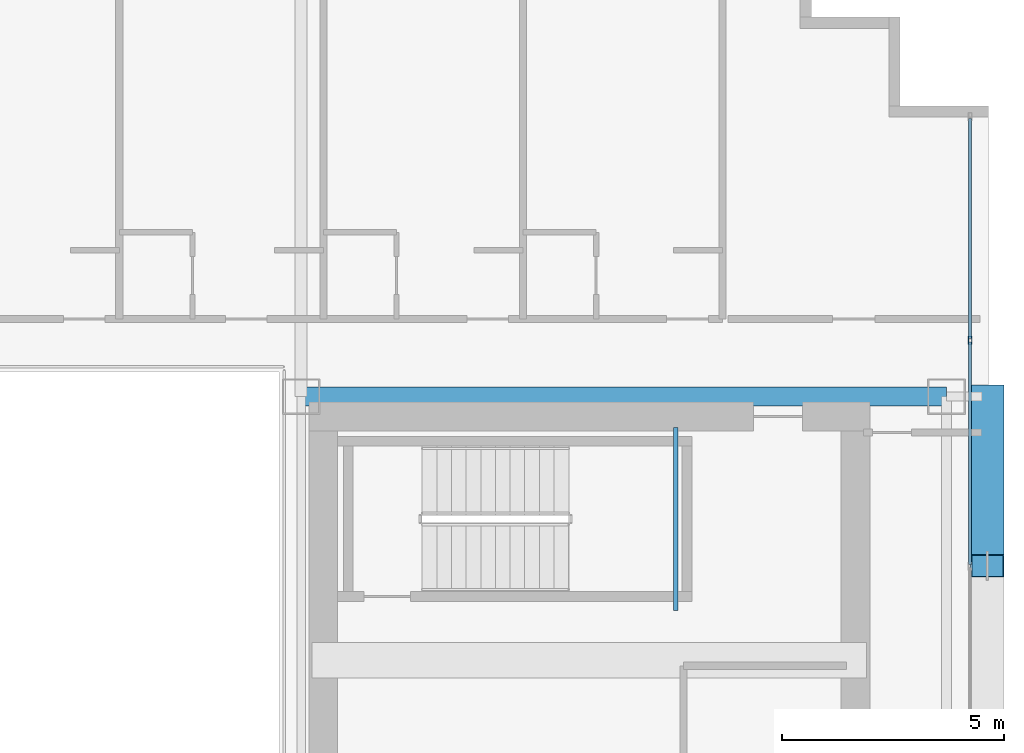
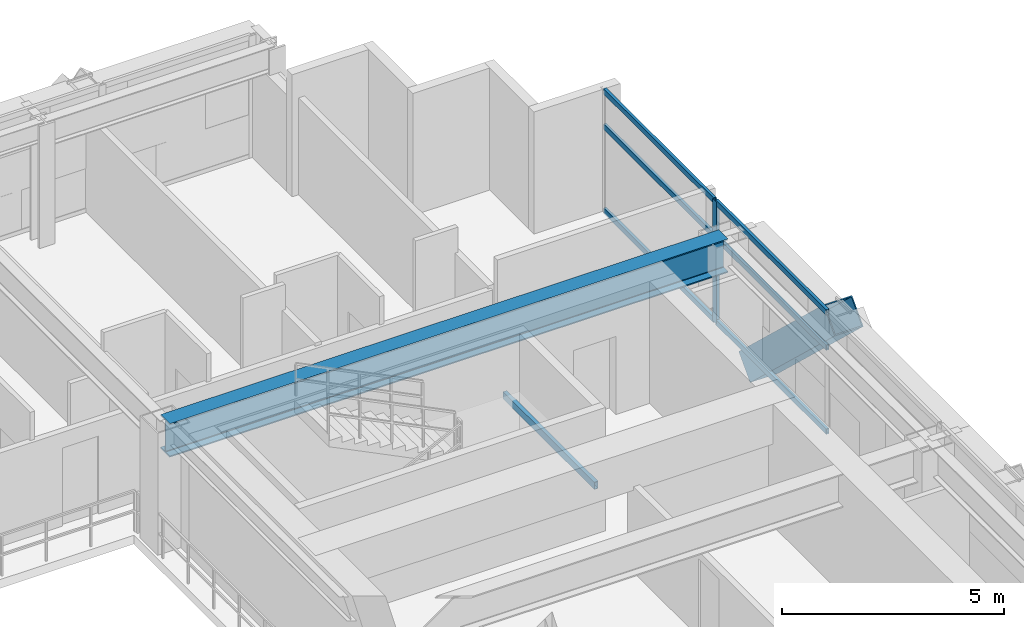
# One storey, part 20 of 36: 8 members, 2 beams, 1 element without a shape of its own.
"""IFC4 building model written with IfcOpenShell, lengths in metres."""

from ifc_helpers import new_model, si_unit, direction, frame, origin, origin_2d, place, context, subcontext, project, spatial, hollow_rectangle, i_section, extrude, source, transform, mapped, material, layer, layer_set, material_profile, profile_set, type_object, element, aggregate, save


model = new_model("IFC4")

# Units and contexts
model_context = context("Model", 3, precision=1e-05, world=origin(), true_north=direction((0.0, 1.0)))
body_context = subcontext(model_context, "Body", "Model", "MODEL_VIEW")
ifc_project = project(units=[si_unit("LENGTHUNIT", "METRE"), si_unit("AREAUNIT", "SQUARE_METRE"), si_unit("VOLUMEUNIT", "CUBIC_METRE"), si_unit("PLANEANGLEUNIT", "RADIAN"), si_unit("MASSUNIT", "GRAM", prefix="KILO")], contexts=[model_context])

# Site, building, storey
site_placement = place(None, origin())
site = spatial("IfcSite", under=ifc_project, at=site_placement, CompositionType="ELEMENT")
building_placement = place(site_placement, origin())
building = spatial("IfcBuilding", under=site, at=building_placement, Name="Ocotamira Hotel", CompositionType="ELEMENT")
storey_placement = place(building_placement, frame((0.0, 0.0, 133.199951171875)))
storey = spatial("IfcBuildingStorey", under=building, at=storey_placement, Name="L33", CompositionType="ELEMENT", Elevation=133.199951171875)

# Beams
ifc_material_1 = material(Name="Steel ASTM A500 Grade C", Category="steel")
ifc_material_profile_1 = material_profile(ifc_material_1, hollow_rectangle(XDim=0.10009765625, YDim=0.199951171875, WallThickness=0.008056640625, at=origin_2d()), Name="HSS200X100X8")
ifc_profile_set_1 = profile_set([ifc_material_profile_1], Name="Steel ASTM A500 Grade C")
beam_type_1 = type_object("IfcBeamType", Name="BM-STLDG-HSS200", PredefinedType="BEAM", material=ifc_profile_set_1)
shared_shape_1 = source(origin(), body_context, "Body", "SweptSolid", [
    extrude(hollow_rectangle(XDim=0.10009765625, YDim=0.199951171875, WallThickness=0.008056640625, at=origin_2d()), origin(), (0.0, 0.0, 1.0), 4.1201171875),
])
beam_1_placement = place(storey_placement, frame((48.949951171875, 32.6298828125, 1.5), z_axis=(0.0, 1.0, 0.0), x_axis=(-1.0, 0.0, 0.0)))
element("IfcBeam", 1, at=beam_1_placement, inside=storey, type_object=beam_type_1, Name="L33 Stair ST-4 Landing Bearer 1", PredefinedType="BEAM", context=body_context, shape_type="MappedRepresentation", body=[
    mapped(shared_shape_1, transform((0.0, 0.0, 0.0), scale=1.0)),
])
ifc_material_2 = material(Name="Steel ASTM A992 Grade 50", Category="steel")
ifc_material_profile_2 = material_profile(ifc_material_2, i_section(OverallWidth=0.41796875, OverallDepth=0.927001953125, WebThickness=0.019287109375, FlangeThickness=0.031982421875, FilletRadius=0.02392578125, at=origin_2d()), Name="W36X231")
ifc_profile_set_2 = profile_set([ifc_material_profile_2], Name="Steel ASTM A992 Grade 50")
beam_type_2 = type_object("IfcBeamType", Name="BM-GIRD-W36X231", PredefinedType="BEAM", material=ifc_profile_set_2)
shared_shape_2 = source(origin(), body_context, "Body", "SweptSolid", [
    extrude(i_section(OverallWidth=0.41796875, OverallDepth=0.927001953125, WebThickness=0.019287109375, FlangeThickness=0.031982421875, FilletRadius=0.02392578125, at=origin_2d()), origin(), (0.0, 0.0, 1.0), 14.550048828125),
])
beam_2_placement = place(storey_placement, frame((40.5, 37.449951171875, 2.896484375), z_axis=(1.0, 0.0, 0.0), x_axis=(0.0, 1.0, 0.0)))
element("IfcBeam", 2, at=beam_2_placement, inside=storey, type_object=beam_type_2, Name="L33 Girder Y37.45 X40.5-55.05", PredefinedType="BEAM", context=body_context, shape_type="MappedRepresentation", body=[
    mapped(shared_shape_2, transform((0.0, 0.0, 0.0), scale=1.0)),
])

# Member
ifc_material_3 = material(Name="Pale-metal coated steel ASTM A913 Grade 65", Category="steel")
ifc_material_profile_3 = material_profile(ifc_material_3, hollow_rectangle(XDim=0.75, YDim=0.75, WallThickness=0.028076171875, at=origin_2d()), Name="BOX750X750X28")
ifc_profile_set_3 = profile_set([ifc_material_profile_3], Name="Pale-metal coated steel ASTM A913 Grade 65")
member_type_1 = type_object("IfcMemberType", Name="MEM-EXO-BOX750", PredefinedType="BRACE", material=ifc_profile_set_3)
shared_shape_3 = source(origin(), body_context, "Body", "SweptSolid", [
    extrude(hollow_rectangle(XDim=0.75, YDim=0.75, WallThickness=0.028076171875, at=origin_2d()), origin(), (0.0, 0.0, 1.0), 5.24658203125),
])
member_1_placement = place(storey_placement, frame((55.969970703125, 37.449951171875, -0.489990234375), z_axis=(0.0, -0.727442733726, 0.686168397078), x_axis=(1.0, 0.0, 0.0)))
element("IfcMember", 3, at=member_1_placement, inside=storey, type_object=member_type_1, Name="L33 Exoskeleton Diagrid E2.2", PredefinedType="BRACE", context=body_context, shape_type="MappedRepresentation", body=[
    mapped(shared_shape_3, transform((0.0, 0.0, 0.0), scale=1.0)),
])

# Curtain wall, members
ifc_material_4 = material(Name="Anodised pale-metal aluminium and solar glass", Category="aluminium")
ifc_layer = layer(ifc_material_4, 0.179931640625)
ifc_layer_set = layer_set([ifc_layer], Name="Anodised pale-metal aluminium and solar glass")
curtain_wall_type = type_object("IfcCurtainWallType", Name="CW-SYS3-Z2", PredefinedType="NOTDEFINED", material=ifc_layer_set)
curtain_wall_placement = place(storey_placement, origin())
curtain_wall = element("IfcCurtainWall", 4, at=curtain_wall_placement, inside=storey, type_object=curtain_wall_type, Name="L33 Curtain Wall CW-3 CW-L33-E", PredefinedType="NOTDEFINED")
ifc_material_5 = material(Name="Anodised pale-metal aluminium 6063-T6", Category="aluminium")
ifc_material_profile_4 = material_profile(ifc_material_5, hollow_rectangle(XDim=0.074951171875, YDim=0.14990234375, WallThickness=0.006103515625, at=origin_2d()), Name="HSS150X75X6")
ifc_profile_set_4 = profile_set([ifc_material_profile_4], Name="Anodised pale-metal aluminium 6063-T6")
member_type_2 = type_object("IfcMemberType", Name="CWT-150X75", PredefinedType="USERDEFINED", material=ifc_profile_set_4)
shared_shape_4 = source(origin(), body_context, "Body", "SweptSolid", [
    extrude(hollow_rectangle(XDim=0.074951171875, YDim=0.14990234375, WallThickness=0.006103515625, at=origin_2d()), origin(), (0.0, 0.0, 1.0), 4.965576171875),
])
member_2_placement = place(storey_placement, frame((55.580078125, 38.75439453125, 0.03759765625), z_axis=(0.0, 1.0, 0.0), x_axis=(-1.0, 0.0, 0.0)))
member_2 = element("IfcMember", 5, at=member_2_placement, type_object=member_type_2, Name="CW-3 transom 7.1", ObjectType="TRANSOM", PredefinedType="USERDEFINED", context=body_context, shape_type="MappedRepresentation", body=[
    mapped(shared_shape_4, transform((0.0, 0.0, 0.0), scale=1.0)),
])
member_3_placement = place(storey_placement, frame((55.580078125, 38.75439453125, 2.35009765625), z_axis=(0.0, 1.0, 0.0), x_axis=(-1.0, 0.0, 0.0)))
member_3 = element("IfcMember", 6, at=member_3_placement, type_object=member_type_2, Name="CW-3 transom 7.2", ObjectType="TRANSOM", PredefinedType="USERDEFINED", context=body_context, shape_type="MappedRepresentation", body=[
    mapped(shared_shape_4, transform((0.0, 0.0, 0.0), scale=1.0)),
])
member_4_placement = place(storey_placement, frame((55.580078125, 38.75439453125, 3.322509765625), z_axis=(0.0, 1.0, 0.0), x_axis=(-1.0, 0.0, 0.0)))
member_4 = element("IfcMember", 7, at=member_4_placement, type_object=member_type_2, Name="CW-3 transom 7.3", ObjectType="TRANSOM", PredefinedType="USERDEFINED", context=body_context, shape_type="MappedRepresentation", body=[
    mapped(shared_shape_4, transform((0.0, 0.0, 0.0), scale=1.0)),
])
shared_shape_5 = source(origin(), body_context, "Body", "SweptSolid", [
    extrude(hollow_rectangle(XDim=0.074951171875, YDim=0.14990234375, WallThickness=0.006103515625, at=origin_2d()), origin(), (0.0, 0.0, 1.0), 5.005859375),
])
member_5_placement = place(storey_placement, frame((55.580078125, 33.66845703125, 0.03759765625), z_axis=(0.0, 1.0, 0.0), x_axis=(-1.0, 0.0, 0.0)))
member_5 = element("IfcMember", 8, at=member_5_placement, type_object=member_type_2, Name="CW-3 transom 6.1", ObjectType="TRANSOM", PredefinedType="USERDEFINED", context=body_context, shape_type="MappedRepresentation", body=[
    mapped(shared_shape_5, transform((0.0, 0.0, 0.0), scale=1.0)),
])
member_6_placement = place(storey_placement, frame((55.580078125, 33.66845703125, 2.35009765625), z_axis=(0.0, 1.0, 0.0), x_axis=(-1.0, 0.0, 0.0)))
member_6 = element("IfcMember", 9, at=member_6_placement, type_object=member_type_2, Name="CW-3 transom 6.2", ObjectType="TRANSOM", PredefinedType="USERDEFINED", context=body_context, shape_type="MappedRepresentation", body=[
    mapped(shared_shape_5, transform((0.0, 0.0, 0.0), scale=1.0)),
])
member_7_placement = place(storey_placement, frame((55.580078125, 33.66845703125, 3.322509765625), z_axis=(0.0, 1.0, 0.0), x_axis=(-1.0, 0.0, 0.0)))
member_7 = element("IfcMember", 10, at=member_7_placement, type_object=member_type_2, Name="CW-3 transom 6.3", ObjectType="TRANSOM", PredefinedType="USERDEFINED", context=body_context, shape_type="MappedRepresentation", body=[
    mapped(shared_shape_5, transform((0.0, 0.0, 0.0), scale=1.0)),
])
ifc_material_profile_5 = material_profile(ifc_material_5, hollow_rectangle(XDim=0.080078125, YDim=0.179931640625, WallThickness=0.006103515625, at=origin_2d()), Name="HSS180X80X6")
ifc_profile_set_5 = profile_set([ifc_material_profile_5], Name="Anodised pale-metal aluminium 6063-T6")
member_type_3 = type_object("IfcMemberType", Name="CWM-180X75", PredefinedType="MULLION", material=ifc_profile_set_5)
shared_shape_6 = source(origin(), body_context, "Body", "SweptSolid", [
    extrude(hollow_rectangle(XDim=0.080078125, YDim=0.179931640625, WallThickness=0.006103515625, at=origin_2d()), origin(), (0.0, 0.0, 1.0), 3.360107421875),
])
member_8_placement = place(storey_placement, frame((55.580078125, 38.71435546875, 0.0), z_axis=(0.0, 0.0, 1.0), x_axis=(-1.0, 0.0, 0.0)))
member_8 = element("IfcMember", 11, at=member_8_placement, type_object=member_type_3, Name="CW-3 mullion 7", PredefinedType="MULLION", context=body_context, shape_type="MappedRepresentation", body=[
    mapped(shared_shape_6, transform((0.0, 0.0, 0.0), scale=1.0)),
])
aggregate(curtain_wall, [member_8, member_5, member_6, member_7, member_2, member_3, member_4])

save(model, "model.ifc")
